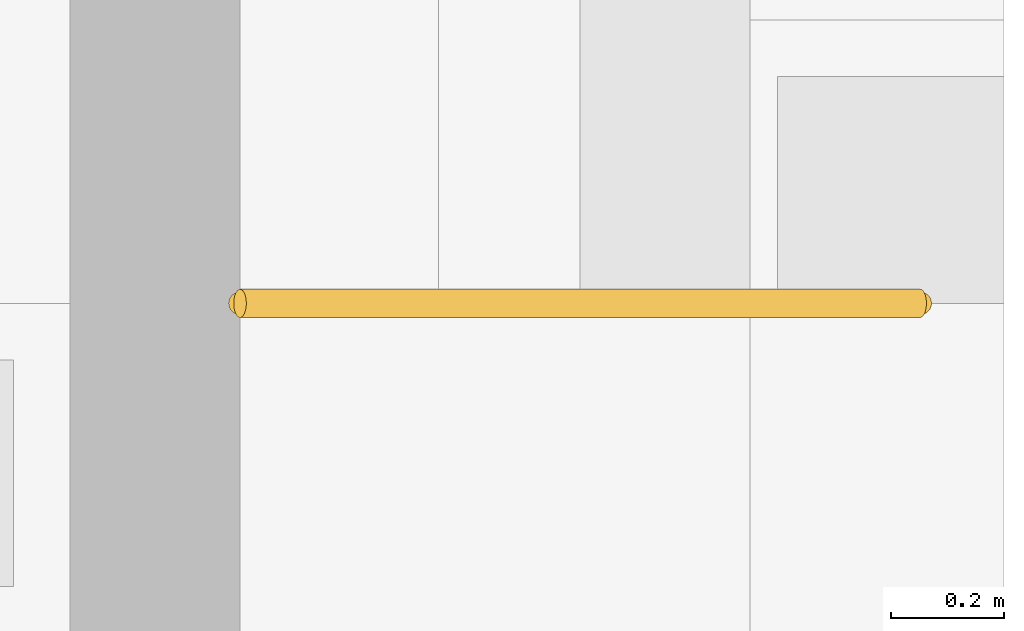
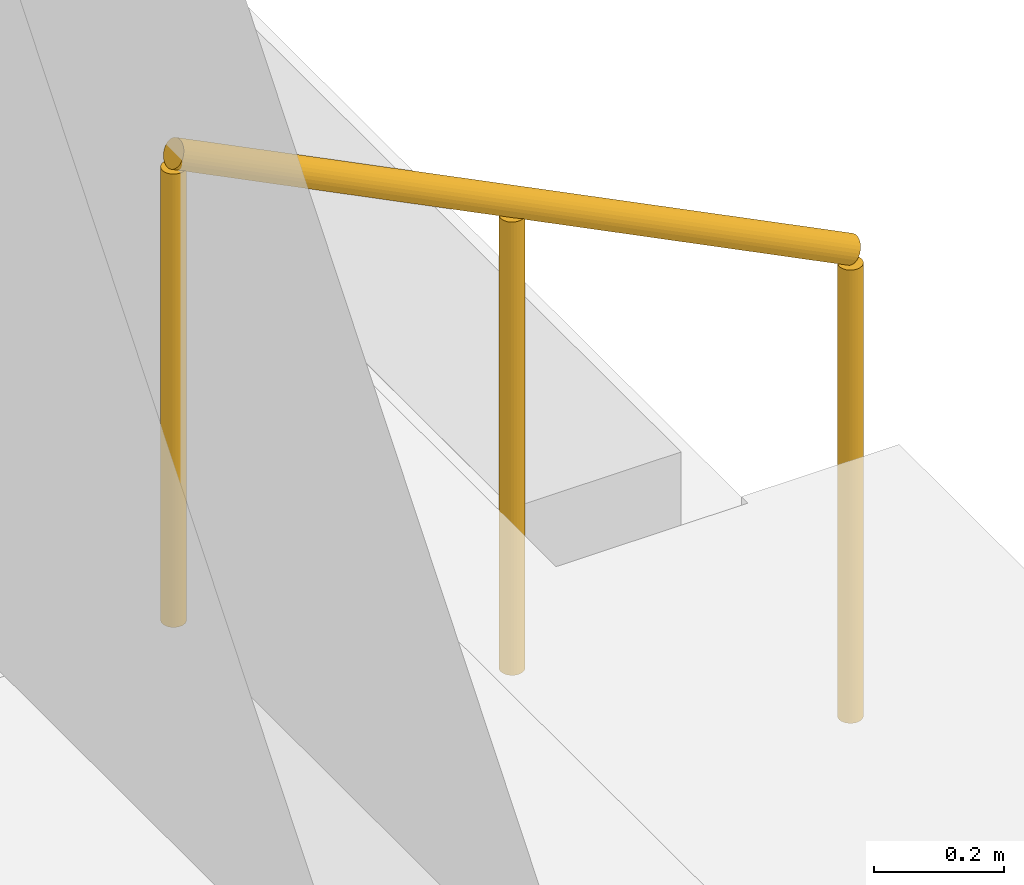
# One storey, part 105 of 108: 1 railing.
"""IFC4 building model written with IfcOpenShell, lengths in metres."""

from ifc_helpers import new_model, si_unit, direction, frame, origin, origin_2d, place, context, subcontext, project, spatial, circle, extrude, material, type_object, element, save


model = new_model("IFC4")

# Units and contexts
model_context = context("Model", 3, precision=1e-05, world=origin(), true_north=direction((0.0, 1.0)))
body_context = subcontext(model_context, "Body", "Model", "MODEL_VIEW")
ifc_project = project(units=[si_unit("LENGTHUNIT", "METRE"), si_unit("AREAUNIT", "SQUARE_METRE"), si_unit("VOLUMEUNIT", "CUBIC_METRE"), si_unit("PLANEANGLEUNIT", "RADIAN"), si_unit("MASSUNIT", "GRAM", prefix="KILO")], contexts=[model_context])

# Site, building, storey
site_placement = place(None, origin())
site = spatial("IfcSite", under=ifc_project, at=site_placement, CompositionType="ELEMENT")
building_placement = place(site_placement, origin())
building = spatial("IfcBuilding", under=site, at=building_placement, Name="Cresset Court Congress Hotel", CompositionType="ELEMENT")
storey_placement = place(building_placement, origin())
storey = spatial("IfcBuildingStorey", under=building, at=storey_placement, Name="L00", CompositionType="ELEMENT", Elevation=0.0)

# Railing
ifc_material = material(Name="Stainless steel", Category="steel")
railing_type = type_object("IfcRailingType", Name="Handrail 900 steel", PredefinedType="HANDRAIL", material=ifc_material)
railing_placement = place(storey_placement, frame((185.35009765625, 88.199951171875, -0.60009765625)))
element("IfcRailing", 1, at=railing_placement, inside=storey, type_object=railing_type, Name="Handrail E03R", PredefinedType="HANDRAIL", context=body_context, shape_type="SweptSolid", body=[
    extrude(circle(Radius=0.02490234375, at=origin_2d()), frame((0.0, 0.0, 0.875), z_axis=(-0.894427191, 0.0, 0.4472135955), x_axis=(0.0, -1.0, 0.0)), (0.0, 0.0, 1.0), 1.341796875),
    extrude(circle(Radius=0.02001953125, at=origin_2d()), origin(), (0.0, 0.0, 1.0), 0.849853515625),
    extrude(circle(Radius=0.02001953125, at=origin_2d()), frame((-0.60009765625, 0.0, 0.300048828125)), (0.0, 0.0, 1.0), 0.849853515625),
    extrude(circle(Radius=0.02001953125, at=origin_2d()), frame((-1.2001953125, 0.0, 0.60009765625)), (0.0, 0.0, 1.0), 0.849853515625),
])

save(model, "model.ifc")
